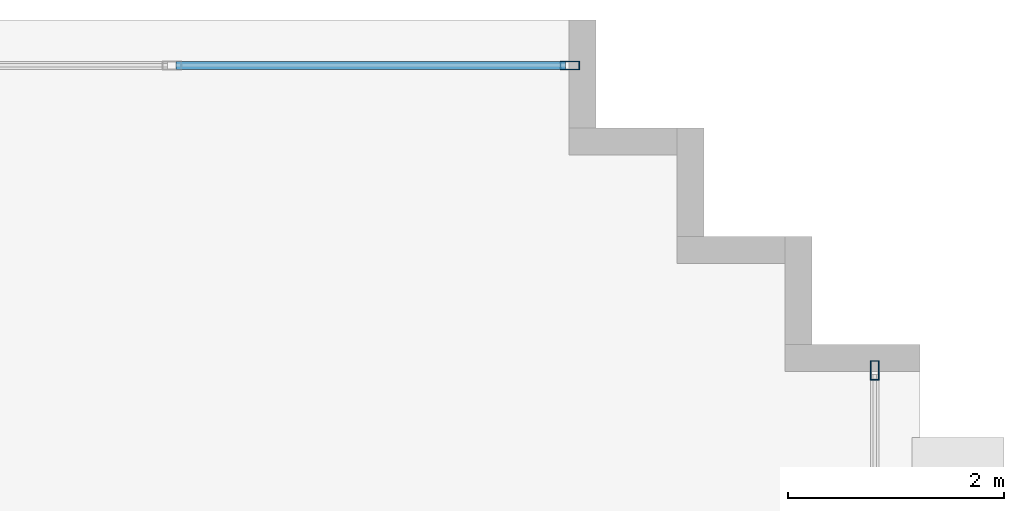
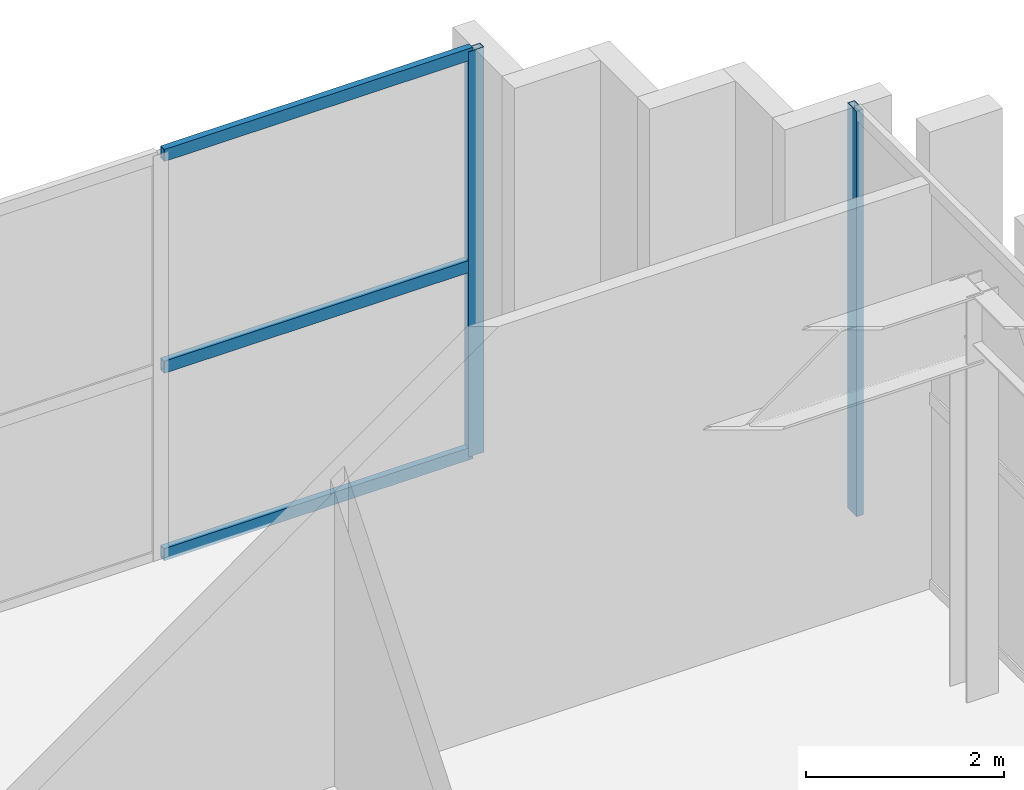
# One storey, part 10 of 14: 5 members, 2 elements without a shape of their own.
"""IFC4 building model written with IfcOpenShell, lengths in metres."""

from ifc_helpers import new_model, si_unit, direction, frame, origin, origin_2d, place, context, subcontext, project, spatial, hollow_rectangle, extrude, source, transform, mapped, material, layer, layer_set, material_profile, profile_set, type_object, element, aggregate, save


model = new_model("IFC4")

# Units and contexts
model_context = context("Model", 3, precision=1e-05, world=origin(), true_north=direction((0.0, 1.0)))
body_context = subcontext(model_context, "Body", "Model", "MODEL_VIEW")
ifc_project = project(units=[si_unit("LENGTHUNIT", "METRE"), si_unit("AREAUNIT", "SQUARE_METRE"), si_unit("VOLUMEUNIT", "CUBIC_METRE"), si_unit("PLANEANGLEUNIT", "RADIAN"), si_unit("MASSUNIT", "GRAM", prefix="KILO")], contexts=[model_context])

# Site, building, storey
site_placement = place(None, origin())
site = spatial("IfcSite", under=ifc_project, at=site_placement, CompositionType="ELEMENT")
building_placement = place(site_placement, origin())
building = spatial("IfcBuilding", under=site, at=building_placement, Name="Ocotamira Hotel", CompositionType="ELEMENT")
storey_placement = place(building_placement, frame((0.0, 0.0, 309.60009765625)))
storey = spatial("IfcBuildingStorey", under=building, at=storey_placement, Name="L79", CompositionType="ELEMENT", Elevation=309.60009765625)

# Curtain wall, members
ifc_material_1 = material(Name="Anodised pale-metal aluminium and solar glass", Category="aluminium")
ifc_layer = layer(ifc_material_1, 0.2099609375)
ifc_layer_set = layer_set([ifc_layer], Name="Anodised pale-metal aluminium and solar glass")
curtain_wall_type = type_object("IfcCurtainWallType", Name="CW-SYS7-PEAK", PredefinedType="NOTDEFINED", material=ifc_layer_set)
curtain_wall_1_placement = place(storey_placement, origin())
curtain_wall_1 = element("IfcCurtainWall", 1, at=curtain_wall_1_placement, inside=storey, type_object=curtain_wall_type, Name="L79 Curtain Wall CW-7 CW-L79-N", PredefinedType="NOTDEFINED")
ifc_material_2 = material(Name="Anodised pale-metal aluminium 6063-T6", Category="aluminium")
ifc_material_profile_1 = material_profile(ifc_material_2, hollow_rectangle(XDim=0.074951171875, YDim=0.14990234375, WallThickness=0.006103515625, at=origin_2d()), Name="HSS150X75X6")
ifc_profile_set_1 = profile_set([ifc_material_profile_1], Name="Anodised pale-metal aluminium 6063-T6")
member_type_1 = type_object("IfcMemberType", Name="CWT-150X75", PredefinedType="USERDEFINED", material=ifc_profile_set_1)
shared_shape_1 = source(origin(), body_context, "Body", "SweptSolid", [
    extrude(hollow_rectangle(XDim=0.074951171875, YDim=0.14990234375, WallThickness=0.006103515625, at=origin_2d()), origin(), (0.0, 0.0, 1.0), 3.599853515625),
])
member_1_placement = place(storey_placement, frame((26.1201171875, 43.580078125, 0.037353515625), z_axis=(1.0, 0.0, 0.0), x_axis=(0.0, 1.0, 0.0)))
member_1 = element("IfcMember", 2, at=member_1_placement, type_object=member_type_1, Name="CW-7 transom 5.1", ObjectType="TRANSOM", PredefinedType="USERDEFINED", context=body_context, shape_type="MappedRepresentation", body=[
    mapped(shared_shape_1, transform((0.0, 0.0, 0.0), scale=1.0)),
])
member_2_placement = place(storey_placement, frame((26.1201171875, 43.580078125, 2.349853515625), z_axis=(1.0, 0.0, 0.0), x_axis=(0.0, 1.0, 0.0)))
member_2 = element("IfcMember", 3, at=member_2_placement, type_object=member_type_1, Name="CW-7 transom 5.2", ObjectType="TRANSOM", PredefinedType="USERDEFINED", context=body_context, shape_type="MappedRepresentation", body=[
    mapped(shared_shape_1, transform((0.0, 0.0, 0.0), scale=1.0)),
])
member_3_placement = place(storey_placement, frame((26.1201171875, 43.580078125, 4.96240234375), z_axis=(1.0, 0.0, 0.0), x_axis=(0.0, 1.0, 0.0)))
member_3 = element("IfcMember", 4, at=member_3_placement, type_object=member_type_1, Name="CW-7 transom 5.3", ObjectType="TRANSOM", PredefinedType="USERDEFINED", context=body_context, shape_type="MappedRepresentation", body=[
    mapped(shared_shape_1, transform((0.0, 0.0, 0.0), scale=1.0)),
])
ifc_material_profile_2 = material_profile(ifc_material_2, hollow_rectangle(XDim=0.080078125, YDim=0.179931640625, WallThickness=0.006103515625, at=origin_2d()), Name="HSS180X80X6")
ifc_profile_set_2 = profile_set([ifc_material_profile_2], Name="Anodised pale-metal aluminium 6063-T6")
member_type_2 = type_object("IfcMemberType", Name="CWM-180X75", PredefinedType="MULLION", material=ifc_profile_set_2)
shared_shape_2 = source(origin(), body_context, "Body", "SweptSolid", [
    extrude(hollow_rectangle(XDim=0.080078125, YDim=0.179931640625, WallThickness=0.006103515625, at=origin_2d()), origin(), (0.0, 0.0, 1.0), 5.0),
])
member_4_placement = place(storey_placement, frame((29.760009765625, 43.580078125, 0.0), z_axis=(0.0, 0.0, 1.0), x_axis=(0.0, 1.0, 0.0)))
member_4 = element("IfcMember", 5, at=member_4_placement, type_object=member_type_2, Name="CW-7 mullion 6", PredefinedType="MULLION", context=body_context, shape_type="MappedRepresentation", body=[
    mapped(shared_shape_2, transform((0.0, 0.0, 0.0), scale=1.0)),
])
aggregate(curtain_wall_1, [member_4, member_1, member_2, member_3])

# Curtain wall, member
curtain_wall_2_placement = place(storey_placement, origin())
curtain_wall_2 = element("IfcCurtainWall", 6, at=curtain_wall_2_placement, inside=storey, type_object=curtain_wall_type, Name="L79 Curtain Wall CW-7 CW-L79-E2", PredefinedType="NOTDEFINED")
member_5_placement = place(storey_placement, frame((32.580078125, 40.760009765625, 0.0), z_axis=(0.0, 0.0, 1.0), x_axis=(-1.0, 0.0, 0.0)))
member_5 = element("IfcMember", 7, at=member_5_placement, type_object=member_type_2, Name="CW-7 mullion 4", PredefinedType="MULLION", context=body_context, shape_type="MappedRepresentation", body=[
    mapped(shared_shape_2, transform((0.0, 0.0, 0.0), scale=1.0)),
])
aggregate(curtain_wall_2, [member_5])

save(model, "model.ifc")
